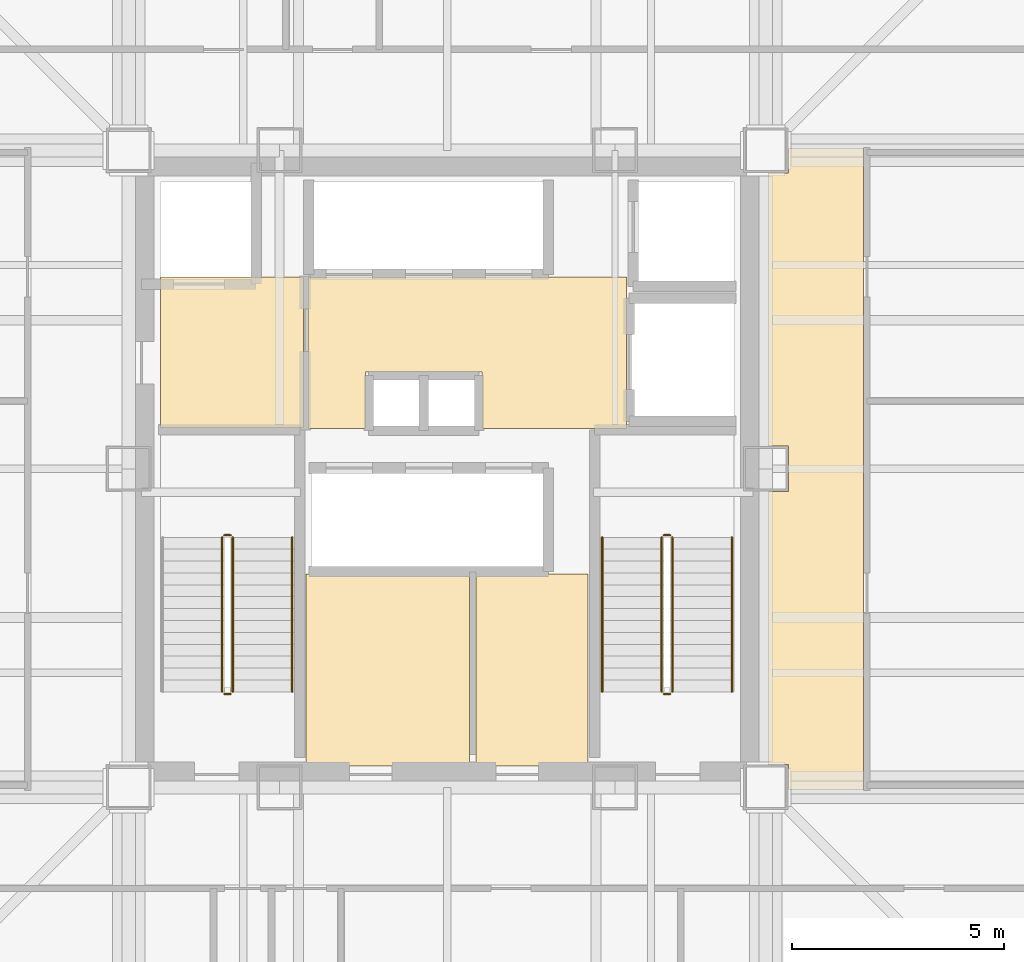
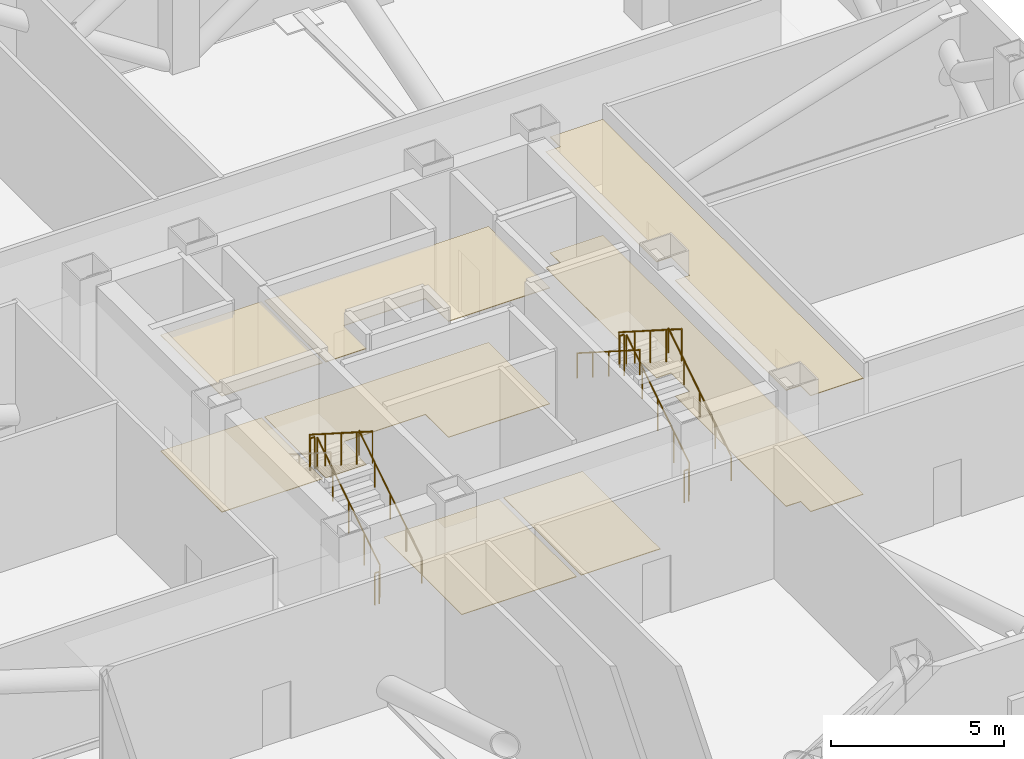
# One storey, part 7 of 8: 11 railings, 8 coverings.
"""IFC4 building model written with IfcOpenShell, lengths in metres."""

import ifcopenshell
import ifcopenshell.guid

model = None  # the IFC model being written
_history = None  # IfcOwnerHistory: only IFC2X3 demands one
_inside = {}  # id of a spatial element -> (the spatial element, [elements in it])
_under = {}  # id of a project, library or spatial element -> (it, [spatial elements below it])
_declared = {}  # id of a project -> (the project, [libraries it declares])
_typed = {}  # id of a type object -> (the type object, [elements of that type])
_made_of = {}  # id of a material, layer set ... -> (it, [elements and type objects made of it])


def new_model(schema):
    """Start an empty IFC model of exactly this schema.

    Asked for "IFC4X3", IfcOpenShell would pick the latest addendum, in which some entities
    have other attributes; the version numbers below select the first issue.
    IFC2X3 requires an IfcOwnerHistory on every rooted entity: one is made here for all.
    """
    global model, _history
    if schema == "IFC4X3":
        model = ifcopenshell.file(schema_version=(4, 3, 0, 0))
    else:
        model = ifcopenshell.file(schema=schema)
    _inside.clear()
    _under.clear()
    _declared.clear()
    _typed.clear()
    _made_of.clear()
    _history = None
    if model.schema == "IFC2X3":
        org = make("IfcOrganization", Name="unknown")
        user = make(
            "IfcPersonAndOrganization",
            ThePerson=make("IfcPerson", FamilyName="unknown"),
            TheOrganization=org,
        )
        app = make(
            "IfcApplication",
            ApplicationDeveloper=org,
            Version="unknown",
            ApplicationFullName="unknown",
            ApplicationIdentifier="unknown",
        )
        _history = make(
            "IfcOwnerHistory",
            OwningUser=user,
            OwningApplication=app,
            ChangeAction="ADDED",
            CreationDate=0,
        )
    return model


def make(cls, **values):
    """One entity of the class cls with the attributes given. An attribute that is None is left unset."""
    return model.create_entity(
        cls, **{name: value for name, value in values.items() if value is not None}
    )


def rooted(cls, **values):
    """An entity with a GlobalId (a new one), such as an element, a storey or a relation."""
    return make(cls, GlobalId=ifcopenshell.guid.new(), OwnerHistory=_history, **values)


def si_unit(unit_type, name, prefix=None):
    """IfcSIUnit, for example si_unit("LENGTHUNIT", "METRE", prefix="MILLI")."""
    return make("IfcSIUnit", UnitType=unit_type, Prefix=prefix, Name=name)


def assignment(units):
    """IfcUnitAssignment: the units of a project."""
    return None if units is None else make("IfcUnitAssignment", Units=units)


def point(xyz):
    """IfcCartesianPoint."""
    return None if xyz is None else make("IfcCartesianPoint", Coordinates=xyz)


def direction(xyz):
    """IfcDirection."""
    return None if xyz is None else make("IfcDirection", DirectionRatios=xyz)


def frame(location, z_axis=None, x_axis=None):
    """IfcAxis2Placement3D, a coordinate frame: its origin and axes. An axis left out is left unset."""
    return make(
        "IfcAxis2Placement3D",
        Location=point(location),
        Axis=direction(z_axis),
        RefDirection=direction(x_axis),
    )


def frame_2d(location, x_axis=None):
    """IfcAxis2Placement2D, a coordinate frame in the plane: its origin and x axis."""
    return make(
        "IfcAxis2Placement2D", Location=point(location), RefDirection=direction(x_axis)
    )


def origin():
    """The frame at (0, 0, 0) with its axes left unset."""
    return frame((0.0, 0.0, 0.0))


def origin_2d():
    """The frame at (0, 0) in the plane with its x axis left unset."""
    return frame_2d((0.0, 0.0))


def place(relative_to, where):
    """IfcLocalPlacement: puts the frame where relative to a parent placement (None: the world)."""
    return make(
        "IfcLocalPlacement", PlacementRelTo=relative_to, RelativePlacement=where
    )


def context(
    kind, dimensions, precision=None, world=None, true_north=None, identifier=None
):
    """IfcGeometricRepresentationContext, for example the 3D "Model" context."""
    return make(
        "IfcGeometricRepresentationContext",
        ContextIdentifier=identifier,
        ContextType=kind,
        CoordinateSpaceDimension=dimensions,
        Precision=precision,
        WorldCoordinateSystem=world,
        TrueNorth=true_north,
    )


def subcontext(parent, identifier, kind, view, scale=None):
    """IfcGeometricRepresentationSubContext, for example "Body" below "Model"."""
    return make(
        "IfcGeometricRepresentationSubContext",
        ContextIdentifier=identifier,
        ContextType=kind,
        ParentContext=parent,
        TargetScale=scale,
        TargetView=view,
    )


def project(units=None, contexts=None):
    """IfcProject with its units and contexts."""
    return rooted(
        "IfcProject",
        Name="project",
        RepresentationContexts=contexts,
        UnitsInContext=assignment(units),
    )


def spatial(cls, under=None, at=None, **own):
    """A site, building, storey or space (cls), placed at a placement, below another one or the project."""
    s = rooted(cls, ObjectPlacement=at, **own)
    if under is not None:
        _under.setdefault(under.id(), (under, []))[1].append(s)
    return s


def polyline(points):
    """IfcPolyline through the points."""
    return make("IfcPolyline", Points=[point(p) for p in points])


def profile(cls, at=None, kind="AREA", **sizes):
    """A parametric profile (cls). Its sizes go by their IFC names, for example OverallWidth=200.0."""
    return make(cls, ProfileType=kind, Position=at, **sizes)


def circle(**sizes):
    """IfcCircleProfileDef."""
    return profile("IfcCircleProfileDef", **sizes)


def outline(outer, holes=None, kind="AREA"):
    """IfcArbitraryClosedProfileDef: a profile drawn as a closed curve; with holes, ...WithVoids."""
    if holes is None:
        return make("IfcArbitraryClosedProfileDef", ProfileType=kind, OuterCurve=outer)
    return make(
        "IfcArbitraryProfileDefWithVoids",
        ProfileType=kind,
        OuterCurve=outer,
        InnerCurves=holes,
    )


def extrude(swept, where, along, depth):
    """IfcExtrudedAreaSolid: the profile swept, set in the frame where, extruded along a direction by depth."""
    return make(
        "IfcExtrudedAreaSolid",
        SweptArea=swept,
        Position=where,
        ExtrudedDirection=direction(along),
        Depth=depth,
    )


def shape(context_of_items, identifier, shape_type, items):
    """IfcShapeRepresentation: the items that make up one representation, for example the "Body"."""
    return make(
        "IfcShapeRepresentation",
        ContextOfItems=context_of_items,
        RepresentationIdentifier=identifier,
        RepresentationType=shape_type,
        Items=items,
    )


def material(Name=None, Category=None):
    """IfcMaterial."""
    return make("IfcMaterial", Name=Name, Category=Category)


def layer(
    of_material, thickness, ventilated=None, Name=None, Category=None, Priority=None
):
    """IfcMaterialLayer: one layer of a wall or slab, of a material (None: an air gap)."""
    return make(
        "IfcMaterialLayer",
        Material=of_material,
        LayerThickness=thickness,
        IsVentilated=ventilated,
        Name=Name,
        Category=Category,
        Priority=Priority,
    )


def layer_set(layers, Name=None):
    """IfcMaterialLayerSet."""
    return make("IfcMaterialLayerSet", MaterialLayers=layers, LayerSetName=Name)


def made_of(thing, what):
    """Note that an element or type object is made of a material, layer set ...; save() writes the relation."""
    if what is not None:
        _made_of.setdefault(what.id(), (what, []))[1].append(thing)
    return thing


def type_object(cls, material=None, **own):
    """A type object (cls), such as IfcWallType, which elements share."""
    return made_of(rooted(cls, **own), material)


def element(
    cls,
    number,
    at=None,
    inside=None,
    cuts=None,
    type_object=None,
    material=None,
    context=None,
    identifier="Body",
    shape_type=None,
    held_by="IfcProductDefinitionShape",
    body=None,
    shapes=None,
    **own,
):
    """One element of the class cls, such as IfcWall. Its Tag is "e" and its number.

    at: its placement. inside: the storey or other place that contains it. cuts: it is an
    opening in that element (IfcRelVoidsElement). A single representation is given by context,
    identifier, shape_type and body (its items); several are given by shapes. held_by: the class
    of the entity that holds the representations. save() writes the other relations.
    """
    e = rooted(cls, Tag="e%d" % number, ObjectPlacement=at, **own)
    if body is not None:
        shapes = [shape(context, identifier, shape_type, body)]
    if shapes is not None:
        e.Representation = make(held_by, Representations=shapes)
    if inside is not None:
        _inside.setdefault(inside.id(), (inside, []))[1].append(e)
    if cuts is not None:
        rooted(
            "IfcRelVoidsElement", RelatingBuildingElement=cuts, RelatedOpeningElement=e
        )
    if type_object is not None:
        _typed.setdefault(type_object.id(), (type_object, []))[1].append(e)
    return made_of(e, material)


def aggregate(whole, parts):
    """IfcRelAggregates: a whole, such as a stair, and the parts it consists of."""
    return rooted("IfcRelAggregates", RelatingObject=whole, RelatedObjects=parts)


def save(model, path):
    """Write the relations noted so far, then the file.

    IfcRelAggregates (storeys below a building ...), IfcRelContainedInSpatialStructure (elements
    in a storey), IfcRelDefinesByType, IfcRelAssociatesMaterial and IfcRelDeclares: one each for
    every whole, place, type object, material and project.
    """
    for whole, parts in _under.values():
        aggregate(whole, parts)
    for where, things in _inside.values():
        rooted(
            "IfcRelContainedInSpatialStructure",
            RelatedElements=things,
            RelatingStructure=where,
        )
    for kind, things in _typed.values():
        rooted("IfcRelDefinesByType", RelatedObjects=things, RelatingType=kind)
    for what, things in _made_of.values():
        rooted("IfcRelAssociatesMaterial", RelatedObjects=things, RelatingMaterial=what)
    for by, libraries in _declared.values():
        rooted("IfcRelDeclares", RelatingContext=by, RelatedDefinitions=libraries)
    model.write(path)


model = new_model("IFC4")

# Units and contexts
model_context = context("Model", 3, precision=1e-05, world=origin(), true_north=direction((0.0, 1.0)))
body_context = subcontext(model_context, "Body", "Model", "MODEL_VIEW")
ifc_project = project(units=[si_unit("LENGTHUNIT", "METRE"), si_unit("AREAUNIT", "SQUARE_METRE"), si_unit("VOLUMEUNIT", "CUBIC_METRE"), si_unit("PLANEANGLEUNIT", "RADIAN"), si_unit("MASSUNIT", "GRAM", prefix="KILO")], contexts=[model_context])

# Site, building, storey
site_placement = place(None, origin())
site = spatial("IfcSite", under=ifc_project, at=site_placement, CompositionType="ELEMENT")
building_placement = place(site_placement, origin())
building = spatial("IfcBuilding", under=site, at=building_placement, Name="Trevonay Congress Spire", CompositionType="ELEMENT")
storey_placement = place(building_placement, frame((0.0, 0.0, 155.199951171875)))
storey = spatial("IfcBuildingStorey", under=building, at=storey_placement, Name="L40", CompositionType="ELEMENT", Elevation=155.199951171875)

# Coverings
ifc_material_1 = material(Name="Acoustic Mineral Fibre Board", Category="gypsum")
ifc_layer_1 = layer(ifc_material_1, 0.02490234375, Name="Acoustic Mineral Fibre Board")
ifc_layer_set_1 = layer_set([ifc_layer_1], Name="Acoustic Mineral Fibre Board")
covering_type_1 = type_object("IfcCoveringType", Name="COV-CEIL-ACOUSTIC", PredefinedType="CEILING", material=ifc_layer_set_1)
covering_1_placement = place(storey_placement, frame((0.0, 0.0, 4.10009765625)))
element("IfcCovering", 1, at=covering_1_placement, inside=storey, type_object=covering_type_1, Name="L40 Firefighting Lift Lobby West acoustic suspended ceiling", PredefinedType="CEILING", context=body_context, shape_type="SweptSolid", body=[
    extrude(outline(polyline([(-6.75, 0.9599609375), (-3.3798828125, 0.9599609375), (-3.3798828125, 4.52001953125), (-6.75, 4.52001953125), (-6.75, 0.9599609375)])), origin(), (0.0, 0.0, 1.0), 0.02490234375),
])
covering_2_placement = place(storey_placement, frame((0.0, 0.0, 4.10009765625)))
element("IfcCovering", 2, at=covering_2_placement, inside=storey, type_object=covering_type_1, Name="L40 Central and High-Rise Passenger Lift Lobby acoustic suspended ceiling", PredefinedType="CEILING", context=body_context, shape_type="SweptSolid", body=[
    extrude(outline(polyline([(-3.280029296875, 0.949951171875), (-1.919921875, 0.949951171875), (-1.919921875, 2.280029296875), (0.820068359375, 2.280029296875), (0.820068359375, 0.949951171875), (4.219970703125, 0.949951171875), (4.219970703125, 4.52001953125), (-3.280029296875, 4.52001953125), (-3.280029296875, 0.949951171875)])), origin(), (0.0, 0.0, 1.0), 0.02490234375),
])
covering_3_placement = place(storey_placement, frame((0.0, 0.0, 4.10009765625)))
element("IfcCovering", 3, at=covering_3_placement, inside=storey, type_object=covering_type_1, Name="L40 Plant and Refuge Corridor East acoustic suspended ceiling", PredefinedType="CEILING", context=body_context, shape_type="SweptSolid", body=[
    extrude(outline(polyline([(9.800048828125, -7.550048828125), (8.034912109375, -7.550048828125), (8.034912109375, -6.965087890625), (7.550048828125, -6.965087890625), (7.550048828125, -0.534912109375), (8.034912109375, -0.534912109375), (8.034912109375, 0.534912109375), (7.550048828125, 0.534912109375), (7.550048828125, 6.965087890625), (8.034912109375, 6.965087890625), (8.034912109375, 7.550048828125), (9.800048828125, 7.550048828125), (9.800048828125, -7.550048828125)])), origin(), (0.0, 0.0, 1.0), 0.02490234375),
])
ifc_material_2 = material(Name="Polished Granite Floor Tile", Category="masonry")
ifc_layer_2 = layer(ifc_material_2, 0.02001953125, Name="Polished Granite Floor Tile")
ifc_layer_set_2 = layer_set([ifc_layer_2], Name="Polished Granite Floor Tile")
covering_type_2 = type_object("IfcCoveringType", Name="COV-FLOOR-STONE", PredefinedType="FLOORING", material=ifc_layer_set_2)
covering_4_placement = place(storey_placement, origin())
element("IfcCovering", 4, at=covering_4_placement, inside=storey, type_object=covering_type_2, Name="L40 Firefighting Lift Lobby West floor finish", PredefinedType="FLOORING", context=body_context, shape_type="SweptSolid", body=[
    extrude(outline(polyline([(-6.75, 0.9599609375), (-3.3798828125, 0.9599609375), (-3.3798828125, 4.52001953125), (-6.75, 4.52001953125), (-6.75, 0.9599609375)])), origin(), (0.0, 0.0, 1.0), 0.02001953125),
])
covering_5_placement = place(storey_placement, origin())
element("IfcCovering", 5, at=covering_5_placement, inside=storey, type_object=covering_type_2, Name="L40 Central and High-Rise Passenger Lift Lobby floor finish", PredefinedType="FLOORING", context=body_context, shape_type="SweptSolid", body=[
    extrude(outline(polyline([(-3.280029296875, 0.949951171875), (-1.919921875, 0.949951171875), (-1.919921875, 2.280029296875), (0.820068359375, 2.280029296875), (0.820068359375, 0.949951171875), (4.219970703125, 0.949951171875), (4.219970703125, 4.52001953125), (-3.280029296875, 4.52001953125), (-3.280029296875, 0.949951171875)])), origin(), (0.0, 0.0, 1.0), 0.02001953125),
])
covering_6_placement = place(storey_placement, origin())
element("IfcCovering", 6, at=covering_6_placement, inside=storey, type_object=covering_type_2, Name="L40 Core Electrical Sub-Board Room floor finish", PredefinedType="FLOORING", context=body_context, shape_type="SweptSolid", body=[
    extrude(outline(polyline([(-3.320068359375, -7.0), (0.52001953125, -7.0), (0.52001953125, -2.47998046875), (-3.320068359375, -2.47998046875), (-3.320068359375, -7.0)])), origin(), (0.0, 0.0, 1.0), 0.02001953125),
])
covering_7_placement = place(storey_placement, origin())
element("IfcCovering", 7, at=covering_7_placement, inside=storey, type_object=covering_type_2, Name="L40 Cleaner and Housekeeping Store floor finish", PredefinedType="FLOORING", context=body_context, shape_type="SweptSolid", body=[
    extrude(outline(polyline([(0.679931640625, -7.0), (3.320068359375, -7.0), (3.320068359375, -2.47998046875), (0.679931640625, -2.47998046875), (0.679931640625, -7.0)])), origin(), (0.0, 0.0, 1.0), 0.02001953125),
])
covering_8_placement = place(storey_placement, origin())
element("IfcCovering", 8, at=covering_8_placement, inside=storey, type_object=covering_type_2, Name="L40 Plant and Refuge Corridor East floor finish", PredefinedType="FLOORING", context=body_context, shape_type="SweptSolid", body=[
    extrude(outline(polyline([(9.800048828125, -7.550048828125), (8.034912109375, -7.550048828125), (8.034912109375, -6.965087890625), (7.550048828125, -6.965087890625), (7.550048828125, -0.534912109375), (8.034912109375, -0.534912109375), (8.034912109375, 0.534912109375), (7.550048828125, 0.534912109375), (7.550048828125, 6.965087890625), (8.034912109375, 6.965087890625), (8.034912109375, 7.550048828125), (9.800048828125, 7.550048828125), (9.800048828125, -7.550048828125)])), origin(), (0.0, 0.0, 1.0), 0.02001953125),
])

# Railings
ifc_material_3 = material(Name="Pale Anodised Aluminium EN AW-6063-T6", Category="aluminium")
railing_type_1 = type_object("IfcRailingType", Name="RAL-STAIR-GUARD-110", PredefinedType="GUARDRAIL", material=ifc_material_3)
railing_1_placement = place(storey_placement, frame((-5.050048828125, -5.25, 0.1787109375)))
element("IfcRailing", 9, at=railing_1_placement, inside=storey, type_object=railing_type_1, Name="L40 ST-1 stair guard 1", PredefinedType="GUARDRAIL", context=body_context, shape_type="SweptSolid", body=[
    extrude(circle(Radius=0.02392578125, at=origin_2d()), frame((0.0, 0.0, 1.1259765625), z_axis=(0.0, 0.843137146238, 0.537698570422), x_axis=(-1.0, 0.0, 0.0)), (0.0, 0.0, 1.0), 4.317138671875),
    extrude(circle(Radius=0.02099609375, at=origin_2d()), origin(), (0.0, 0.0, 1.0), 1.101806640625),
    extrude(circle(Radius=0.02099609375, at=origin_2d()), frame((0.0, 0.909912109375, 0.580322265625)), (0.0, 0.0, 1.0), 1.101806640625),
    extrude(circle(Radius=0.02099609375, at=origin_2d()), frame((0.0, 1.81982421875, 1.16064453125)), (0.0, 0.0, 1.0), 1.101806640625),
    extrude(circle(Radius=0.02099609375, at=origin_2d()), frame((0.0, 2.72998046875, 1.740966796875)), (0.0, 0.0, 1.0), 1.101806640625),
    extrude(circle(Radius=0.02099609375, at=origin_2d()), frame((0.0, 3.639892578125, 2.3212890625)), (0.0, 0.0, 1.0), 1.101806640625),
])
railing_2_placement = place(storey_placement, frame((-5.10009765625, -1.56005859375, 2.5)))
element("IfcRailing", 10, at=railing_2_placement, inside=storey, type_object=railing_type_1, Name="L40 ST-1 stair guard 2", PredefinedType="GUARDRAIL", context=body_context, shape_type="SweptSolid", body=[
    extrude(circle(Radius=0.02392578125, at=origin_2d()), frame((0.0, 0.0, 1.1259765625), z_axis=(-1.0, 0.0, 0.0), x_axis=(0.0, -1.0, 0.0)), (0.0, 0.0, 1.0), 0.14990234375),
    extrude(circle(Radius=0.02099609375, at=origin_2d()), origin(), (0.0, 0.0, 1.0), 1.101806640625),
    extrude(circle(Radius=0.02099609375, at=origin_2d()), frame((-0.14990234375, 0.0, 0.0)), (0.0, 0.0, 1.0), 1.101806640625),
])
railing_3_placement = place(storey_placement, frame((-5.300048828125, -1.610107421875, 2.6787109375)))
element("IfcRailing", 11, at=railing_3_placement, inside=storey, type_object=railing_type_1, Name="L40 ST-1 stair guard 3", PredefinedType="GUARDRAIL", context=body_context, shape_type="SweptSolid", body=[
    extrude(circle(Radius=0.02392578125, at=origin_2d()), frame((0.0, 0.0, 1.1259765625), z_axis=(0.0, -0.843137146238, 0.537698570422), x_axis=(1.0, 0.0, 0.0)), (0.0, 0.0, 1.0), 4.317138671875),
    extrude(circle(Radius=0.02099609375, at=origin_2d()), origin(), (0.0, 0.0, 1.0), 1.101806640625),
    extrude(circle(Radius=0.02099609375, at=origin_2d()), frame((0.0, -0.909912109375, 0.580322265625)), (0.0, 0.0, 1.0), 1.101806640625),
    extrude(circle(Radius=0.02099609375, at=origin_2d()), frame((0.0, -1.81982421875, 1.16064453125)), (0.0, 0.0, 1.0), 1.101806640625),
    extrude(circle(Radius=0.02099609375, at=origin_2d()), frame((0.0, -2.72998046875, 1.740966796875)), (0.0, 0.0, 1.0), 1.101806640625),
    extrude(circle(Radius=0.02099609375, at=origin_2d()), frame((0.0, -3.639892578125, 2.3212890625)), (0.0, 0.0, 1.0), 1.101806640625),
])
railing_4_placement = place(storey_placement, frame((-5.10009765625, -5.300048828125, 0.0)))
element("IfcRailing", 12, at=railing_4_placement, inside=storey, type_object=railing_type_1, Name="L40 ST-1 stair guard 4", PredefinedType="GUARDRAIL", context=body_context, shape_type="SweptSolid", body=[
    extrude(circle(Radius=0.02392578125, at=origin_2d()), frame((0.0, 0.0, 1.1259765625), z_axis=(-1.0, 0.0, 0.0), x_axis=(0.0, -1.0, 0.0)), (0.0, 0.0, 1.0), 0.14990234375),
    extrude(circle(Radius=0.02099609375, at=origin_2d()), origin(), (0.0, 0.0, 1.0), 1.101806640625),
    extrude(circle(Radius=0.02099609375, at=origin_2d()), frame((-0.14990234375, 0.0, 0.0)), (0.0, 0.0, 1.0), 1.101806640625),
])
railing_5_placement = place(storey_placement, frame((5.300048828125, -5.25, 0.1787109375)))
element("IfcRailing", 13, at=railing_5_placement, inside=storey, type_object=railing_type_1, Name="L40 ST-2 stair guard 1", PredefinedType="GUARDRAIL", context=body_context, shape_type="SweptSolid", body=[
    extrude(circle(Radius=0.02392578125, at=origin_2d()), frame((0.0, 0.0, 1.1259765625), z_axis=(0.0, 0.843137146238, 0.537698570422), x_axis=(-1.0, 0.0, 0.0)), (0.0, 0.0, 1.0), 4.317138671875),
    extrude(circle(Radius=0.02099609375, at=origin_2d()), origin(), (0.0, 0.0, 1.0), 1.101806640625),
    extrude(circle(Radius=0.02099609375, at=origin_2d()), frame((0.0, 0.909912109375, 0.580322265625)), (0.0, 0.0, 1.0), 1.101806640625),
    extrude(circle(Radius=0.02099609375, at=origin_2d()), frame((0.0, 1.81982421875, 1.16064453125)), (0.0, 0.0, 1.0), 1.101806640625),
    extrude(circle(Radius=0.02099609375, at=origin_2d()), frame((0.0, 2.72998046875, 1.740966796875)), (0.0, 0.0, 1.0), 1.101806640625),
    extrude(circle(Radius=0.02099609375, at=origin_2d()), frame((0.0, 3.639892578125, 2.3212890625)), (0.0, 0.0, 1.0), 1.101806640625),
])
railing_6_placement = place(storey_placement, frame((5.25, -1.56005859375, 2.5)))
element("IfcRailing", 14, at=railing_6_placement, inside=storey, type_object=railing_type_1, Name="L40 ST-2 stair guard 2", PredefinedType="GUARDRAIL", context=body_context, shape_type="SweptSolid", body=[
    extrude(circle(Radius=0.02392578125, at=origin_2d()), frame((0.0, 0.0, 1.1259765625), z_axis=(-1.0, 0.0, 0.0), x_axis=(0.0, -1.0, 0.0)), (0.0, 0.0, 1.0), 0.14990234375),
    extrude(circle(Radius=0.02099609375, at=origin_2d()), origin(), (0.0, 0.0, 1.0), 1.101806640625),
    extrude(circle(Radius=0.02099609375, at=origin_2d()), frame((-0.14990234375, 0.0, 0.0)), (0.0, 0.0, 1.0), 1.101806640625),
])
railing_7_placement = place(storey_placement, frame((5.050048828125, -1.610107421875, 2.6787109375)))
element("IfcRailing", 15, at=railing_7_placement, inside=storey, type_object=railing_type_1, Name="L40 ST-2 stair guard 3", PredefinedType="GUARDRAIL", context=body_context, shape_type="SweptSolid", body=[
    extrude(circle(Radius=0.02392578125, at=origin_2d()), frame((0.0, 0.0, 1.1259765625), z_axis=(0.0, -0.843137146238, 0.537698570422), x_axis=(1.0, 0.0, 0.0)), (0.0, 0.0, 1.0), 4.317138671875),
    extrude(circle(Radius=0.02099609375, at=origin_2d()), origin(), (0.0, 0.0, 1.0), 1.101806640625),
    extrude(circle(Radius=0.02099609375, at=origin_2d()), frame((0.0, -0.909912109375, 0.580322265625)), (0.0, 0.0, 1.0), 1.101806640625),
    extrude(circle(Radius=0.02099609375, at=origin_2d()), frame((0.0, -1.81982421875, 1.16064453125)), (0.0, 0.0, 1.0), 1.101806640625),
    extrude(circle(Radius=0.02099609375, at=origin_2d()), frame((0.0, -2.72998046875, 1.740966796875)), (0.0, 0.0, 1.0), 1.101806640625),
    extrude(circle(Radius=0.02099609375, at=origin_2d()), frame((0.0, -3.639892578125, 2.3212890625)), (0.0, 0.0, 1.0), 1.101806640625),
])
railing_8_placement = place(storey_placement, frame((5.25, -5.300048828125, 0.0)))
element("IfcRailing", 16, at=railing_8_placement, inside=storey, type_object=railing_type_1, Name="L40 ST-2 stair guard 4", PredefinedType="GUARDRAIL", context=body_context, shape_type="SweptSolid", body=[
    extrude(circle(Radius=0.02392578125, at=origin_2d()), frame((0.0, 0.0, 1.1259765625), z_axis=(-1.0, 0.0, 0.0), x_axis=(0.0, -1.0, 0.0)), (0.0, 0.0, 1.0), 0.14990234375),
    extrude(circle(Radius=0.02099609375, at=origin_2d()), origin(), (0.0, 0.0, 1.0), 1.101806640625),
    extrude(circle(Radius=0.02099609375, at=origin_2d()), frame((-0.14990234375, 0.0, 0.0)), (0.0, 0.0, 1.0), 1.101806640625),
])
railing_type_2 = type_object("IfcRailingType", Name="RAL-STAIR-HANDRAIL", PredefinedType="HANDRAIL", material=ifc_material_3)
for number, where, name in (
    (17, (-3.64990234375, -5.25, 0.1787109375), "L40 ST-1 stair handrail 1"),
    (18, (6.699951171875, -5.25, 0.1787109375), "L40 ST-2 stair handrail 1"),
):
    element("IfcRailing", number, at=place(storey_placement, frame(where)), inside=storey, type_object=railing_type_2, Name=name, PredefinedType="HANDRAIL", context=body_context, shape_type="SweptSolid", body=[
        extrude(circle(Radius=0.02392578125, at=origin_2d()), frame((0.0, 0.0, 0.8759765625), z_axis=(0.0, 0.843137146238, 0.537698570422), x_axis=(-1.0, 0.0, 0.0)), (0.0, 0.0, 1.0), 4.317138671875),
        extrude(circle(Radius=0.02099609375, at=origin_2d()), origin(), (0.0, 0.0, 1.0), 0.851806640625),
        extrude(circle(Radius=0.02099609375, at=origin_2d()), frame((0.0, 0.909912109375, 0.580322265625)), (0.0, 0.0, 1.0), 0.851806640625),
        extrude(circle(Radius=0.02099609375, at=origin_2d()), frame((0.0, 1.81982421875, 1.16064453125)), (0.0, 0.0, 1.0), 0.851806640625),
        extrude(circle(Radius=0.02099609375, at=origin_2d()), frame((0.0, 2.72998046875, 1.740966796875)), (0.0, 0.0, 1.0), 0.851806640625),
        extrude(circle(Radius=0.02099609375, at=origin_2d()), frame((0.0, 3.639892578125, 2.3212890625)), (0.0, 0.0, 1.0), 0.851806640625),
    ])
railing_9_placement = place(storey_placement, frame((3.64990234375, -1.610107421875, 2.6787109375)))
element("IfcRailing", 19, at=railing_9_placement, inside=storey, type_object=railing_type_2, Name="L40 ST-2 stair handrail 2", PredefinedType="HANDRAIL", context=body_context, shape_type="SweptSolid", body=[
    extrude(circle(Radius=0.02392578125, at=origin_2d()), frame((0.0, 0.0, 0.8759765625), z_axis=(0.0, -0.843137146238, 0.537698570422), x_axis=(1.0, 0.0, 0.0)), (0.0, 0.0, 1.0), 4.317138671875),
    extrude(circle(Radius=0.02099609375, at=origin_2d()), origin(), (0.0, 0.0, 1.0), 0.851806640625),
    extrude(circle(Radius=0.02099609375, at=origin_2d()), frame((0.0, -0.909912109375, 0.580322265625)), (0.0, 0.0, 1.0), 0.851806640625),
    extrude(circle(Radius=0.02099609375, at=origin_2d()), frame((0.0, -1.81982421875, 1.16064453125)), (0.0, 0.0, 1.0), 0.851806640625),
    extrude(circle(Radius=0.02099609375, at=origin_2d()), frame((0.0, -2.72998046875, 1.740966796875)), (0.0, 0.0, 1.0), 0.851806640625),
    extrude(circle(Radius=0.02099609375, at=origin_2d()), frame((0.0, -3.639892578125, 2.3212890625)), (0.0, 0.0, 1.0), 0.851806640625),
])

save(model, "model.ifc")
